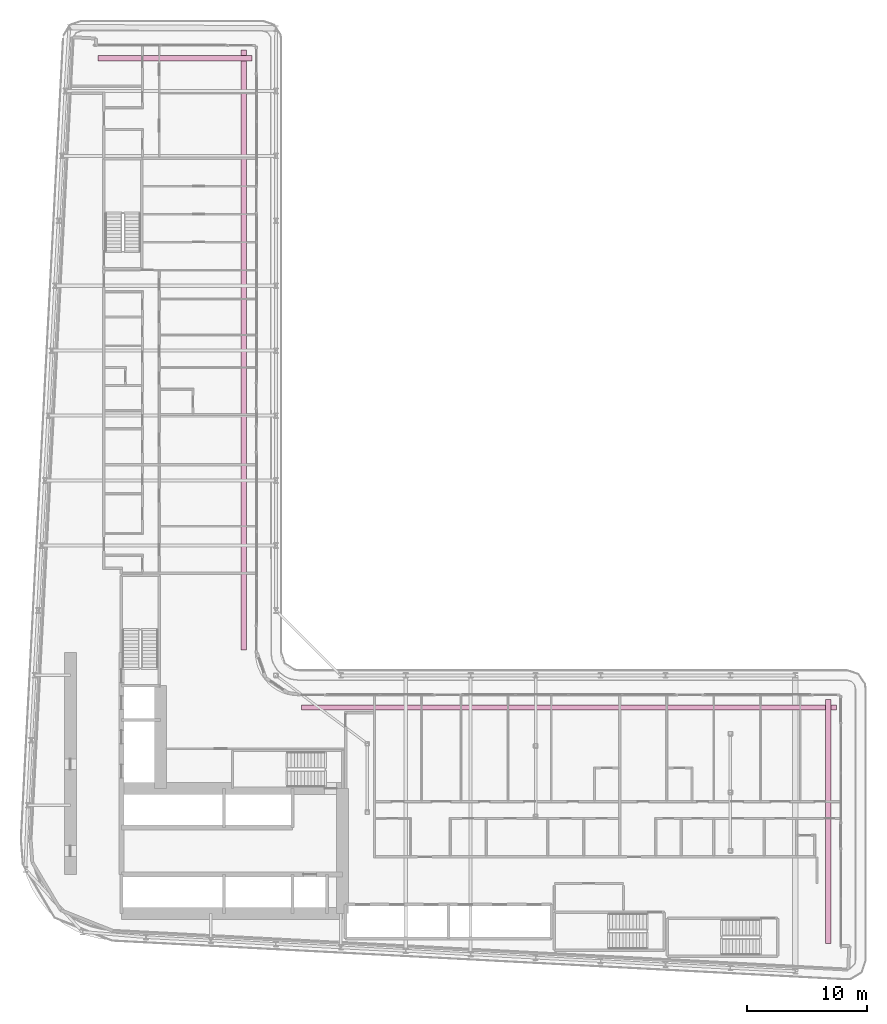
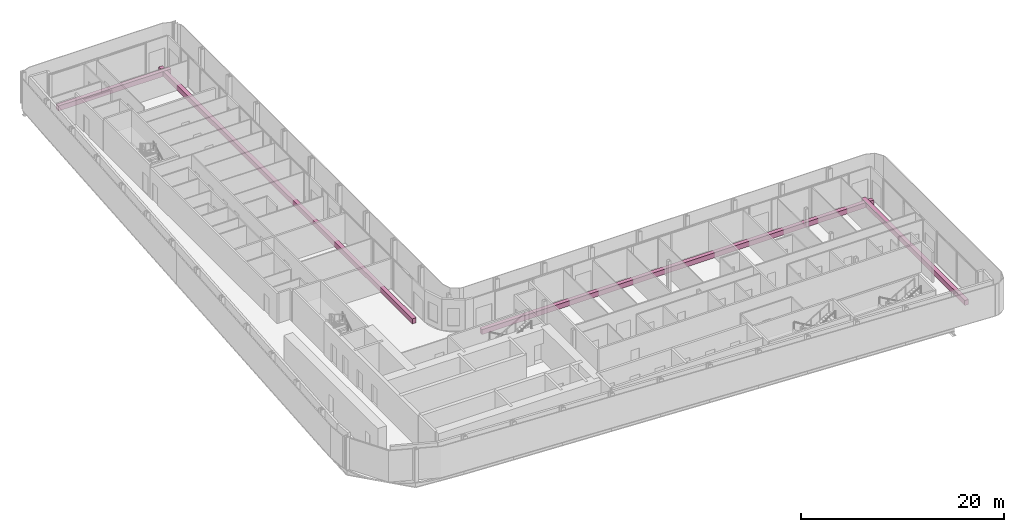
# One storey, part 27 of 27: 4 furniture elements.
"""IFC4 building model written with IfcOpenShell, lengths in metres."""

from ifc_helpers import new_model, si_unit, direction, frame, origin, origin_2d, place, context, subcontext, project, spatial, rectangle, extrude, material, type_object, element, save


model = new_model("IFC4")

# Units and contexts
model_context = context("Model", 3, precision=1e-05, world=origin(), true_north=direction((0.0, 1.0)))
body_context = subcontext(model_context, "Body", "Model", "MODEL_VIEW")
ifc_project = project(units=[si_unit("LENGTHUNIT", "METRE"), si_unit("AREAUNIT", "SQUARE_METRE"), si_unit("VOLUMEUNIT", "CUBIC_METRE"), si_unit("PLANEANGLEUNIT", "RADIAN"), si_unit("MASSUNIT", "GRAM", prefix="KILO")], contexts=[model_context])

# Site, building, storey
site_placement = place(None, origin())
site = spatial("IfcSite", under=ifc_project, at=site_placement, CompositionType="ELEMENT")
building_placement = place(site_placement, origin())
building = spatial("IfcBuilding", under=site, at=building_placement, Name="Kheshtan School and Residences Tower", CompositionType="ELEMENT")
storey_placement = place(building_placement, frame((0.0, 0.0, 46.10009765625)))
storey = spatial("IfcBuildingStorey", under=building, at=storey_placement, Name="L10", CompositionType="ELEMENT", Elevation=46.10009765625)

# Furniture
ifc_material = material(Name="Precast concrete C30/37 in terracotta finish", Category="masonry")
furniture_type = type_object("IfcFurnitureType", Name="Planter trough", AssemblyPlace="NOTDEFINED", PredefinedType="USERDEFINED", material=ifc_material)
furniture_1_placement = place(storey_placement, frame((39.196044921875, 96.925048828125, -0.000244140625), z_axis=(0.0, 0.0, 1.0), x_axis=(1.0, 0.0, 0.0)))
element("IfcFurniture", 1, at=furniture_1_placement, inside=storey, type_object=furniture_type, Name="Planter L10", ObjectType="PLANTER", PredefinedType="USERDEFINED", context=body_context, shape_type="SweptSolid", body=[
    extrude(rectangle(XDim=12.80810546875, YDim=0.449951171875, at=origin_2d()), origin(), (0.0, 0.0, 1.0), 0.60009765625),
])
furniture_2_placement = place(storey_placement, frame((44.925048828125, 72.6650390625, -0.000244140625), z_axis=(0.0, 0.0, 1.0), x_axis=(0.0, -1.0, 0.0)))
element("IfcFurniture", 2, at=furniture_2_placement, inside=storey, type_object=furniture_type, Name="Planter L10", ObjectType="PLANTER", PredefinedType="USERDEFINED", context=body_context, shape_type="SweptSolid", body=[
    extrude(rectangle(XDim=49.8701171875, YDim=0.449951171875, at=origin_2d()), origin(), (0.0, 0.0, 1.0), 0.60009765625),
])
furniture_3_placement = place(storey_placement, frame((71.965087890625, 42.925048828125, -0.000244140625), z_axis=(0.0, 0.0, 1.0), x_axis=(1.0, 0.0, 0.0)))
element("IfcFurniture", 3, at=furniture_3_placement, inside=storey, type_object=furniture_type, Name="Planter L10", ObjectType="PLANTER", PredefinedType="USERDEFINED", context=body_context, shape_type="SweptSolid", body=[
    extrude(rectangle(XDim=44.469970703125, YDim=0.449951171875, at=origin_2d()), origin(), (0.0, 0.0, 1.0), 0.60009765625),
])
furniture_4_placement = place(storey_placement, frame((93.52490234375, 33.448974609375, -0.000244140625), z_axis=(0.0, 0.0, 1.0), x_axis=(0.0, -1.0, 0.0)))
element("IfcFurniture", 4, at=furniture_4_placement, inside=storey, type_object=furniture_type, Name="Planter L10", ObjectType="PLANTER", PredefinedType="USERDEFINED", context=body_context, shape_type="SweptSolid", body=[
    extrude(rectangle(XDim=20.302001953125, YDim=0.449951171875, at=origin_2d()), origin(), (0.0, 0.0, 1.0), 0.60009765625),
])

save(model, "model.ifc")
